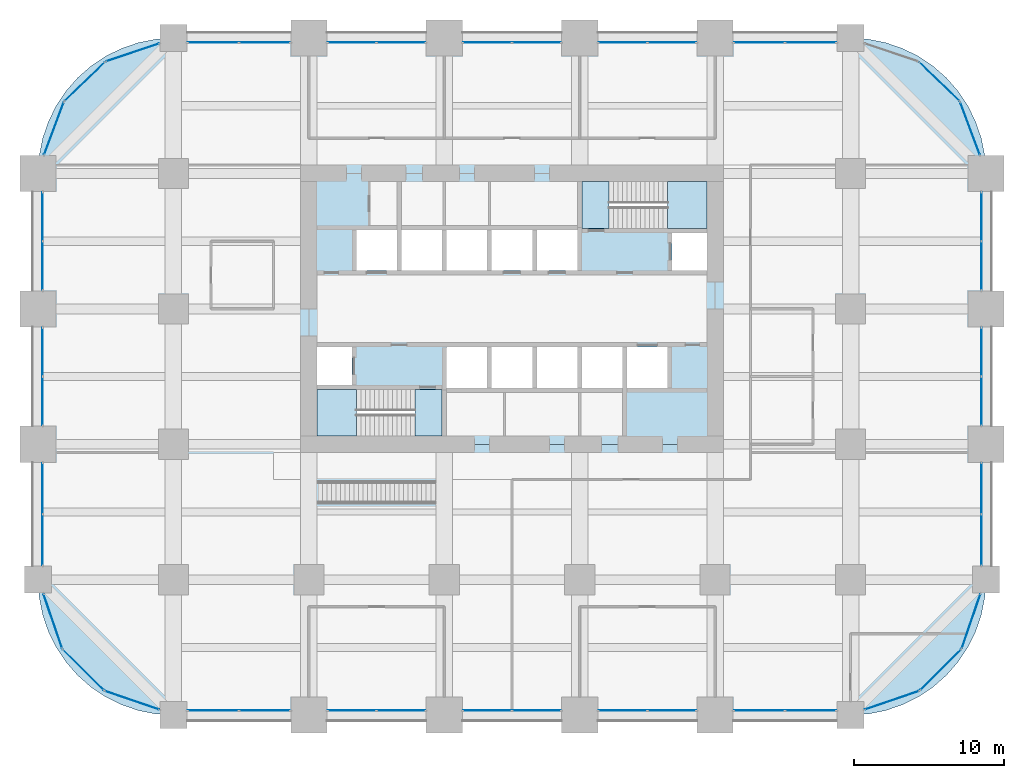
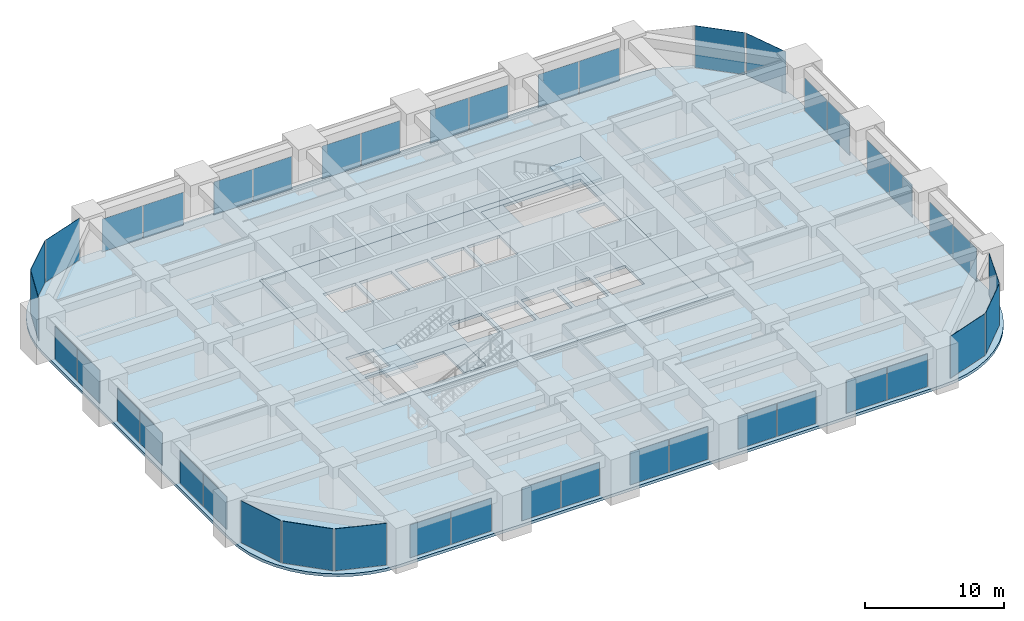
# One storey, part 35 of 39: 43 plates, 6 slabs, 29 elements without a shape of their own.
"""IFC4 building model written with IfcOpenShell, lengths in metres."""

from ifc_helpers import new_model, si_unit, direction, frame, origin, origin_2d, place, context, subcontext, project, spatial, polyline, rectangle, outline, extrude, material, layer, layer_set, type_object, element, aggregate, save


model = new_model("IFC4")

# Units and contexts
model_context = context("Model", 3, precision=1e-05, world=origin(), true_north=direction((0.0, 1.0)))
body_context = subcontext(model_context, "Body", "Model", "MODEL_VIEW")
ifc_project = project(units=[si_unit("LENGTHUNIT", "METRE"), si_unit("AREAUNIT", "SQUARE_METRE"), si_unit("VOLUMEUNIT", "CUBIC_METRE"), si_unit("PLANEANGLEUNIT", "RADIAN"), si_unit("MASSUNIT", "GRAM", prefix="KILO")], contexts=[model_context])

# Site, building, storey
site_placement = place(None, origin())
site = spatial("IfcSite", under=ifc_project, at=site_placement, CompositionType="ELEMENT")
building_placement = place(site_placement, origin())
building = spatial("IfcBuilding", under=site, at=building_placement, Name="Zorevar Civic Tower", CompositionType="ELEMENT")
storey_placement = place(building_placement, frame((0.0, 0.0, 117.0)))
storey = spatial("IfcBuildingStorey", under=building, at=storey_placement, Name="L28", CompositionType="ELEMENT", Elevation=117.0)

# Curtain wall, plates
ifc_material_1 = material(Name="Dark grey solar-control glass in black aluminium frame", Category="aluminium")
curtain_wall_type = type_object("IfcCurtainWallType", Name="Curtain wall CW3 mid zone", PredefinedType="NOTDEFINED", material=ifc_material_1)
curtain_wall_1_placement = place(storey_placement, origin())
curtain_wall_1 = element("IfcCurtainWall", 1, at=curtain_wall_1_placement, inside=storey, type_object=curtain_wall_type, Name="CW3 L28", PredefinedType="NOTDEFINED")
ifc_material_2 = material(Name="Dark grey solar-control glass", Category="glass")
ifc_layer_1 = layer(ifc_material_2, 0.030029296875)
ifc_layer_set_1 = layer_set([ifc_layer_1], Name="CW3 panel 30")
plate_type = type_object("IfcPlateType", Name="CW3 panel 30", PredefinedType="CURTAIN_PANEL", material=ifc_layer_set_1)
plate_1_placement = place(storey_placement, frame((11.639892578125, 0.300048828125, 0.06005859375), z_axis=(0.0, 0.0, 1.0), x_axis=(1.0, 0.0, 0.0)))
plate_1 = element("IfcPlate", 2, at=plate_1_placement, type_object=plate_type, Name="CW3 panel 1.1", PredefinedType="CURTAIN_PANEL", context=body_context, shape_type="SweptSolid", body=[
    extrude(rectangle(XDim=3.360107421875, YDim=0.030029296875, at=origin_2d()), origin(), (0.0, 0.0, 1.0), 2.889892578125),
])
plate_2_placement = place(storey_placement, frame((15.06005859375, 0.300048828125, 0.06005859375), z_axis=(0.0, 0.0, 1.0), x_axis=(1.0, 0.0, 0.0)))
plate_2 = element("IfcPlate", 3, at=plate_2_placement, type_object=plate_type, Name="CW3 panel 2.1", PredefinedType="CURTAIN_PANEL", context=body_context, shape_type="SweptSolid", body=[
    extrude(rectangle(XDim=3.360107421875, YDim=0.030029296875, at=origin_2d()), origin(), (0.0, 0.0, 1.0), 2.889892578125),
])
aggregate(curtain_wall_1, [plate_1, plate_2])

curtain_wall_2_placement = place(storey_placement, origin())
curtain_wall_2 = element("IfcCurtainWall", 4, at=curtain_wall_2_placement, inside=storey, type_object=curtain_wall_type, Name="CW3 L28", PredefinedType="NOTDEFINED")
plate_3_placement = place(storey_placement, frame((11.639892578125, 44.699951171875, 0.06005859375), z_axis=(0.0, 0.0, 1.0), x_axis=(1.0, 0.0, 0.0)))
plate_3 = element("IfcPlate", 5, at=plate_3_placement, type_object=plate_type, Name="CW3 panel 1.1", PredefinedType="CURTAIN_PANEL", context=body_context, shape_type="SweptSolid", body=[
    extrude(rectangle(XDim=3.360107421875, YDim=0.030029296875, at=origin_2d()), origin(), (0.0, 0.0, 1.0), 2.889892578125),
])
plate_4_placement = place(storey_placement, frame((15.06005859375, 44.699951171875, 0.06005859375), z_axis=(0.0, 0.0, 1.0), x_axis=(1.0, 0.0, 0.0)))
plate_4 = element("IfcPlate", 6, at=plate_4_placement, type_object=plate_type, Name="CW3 panel 2.1", PredefinedType="CURTAIN_PANEL", context=body_context, shape_type="SweptSolid", body=[
    extrude(rectangle(XDim=3.360107421875, YDim=0.030029296875, at=origin_2d()), origin(), (0.0, 0.0, 1.0), 2.889892578125),
])
aggregate(curtain_wall_2, [plate_3, plate_4])

curtain_wall_3_placement = place(storey_placement, origin())
curtain_wall_3 = element("IfcCurtainWall", 7, at=curtain_wall_3_placement, inside=storey, type_object=curtain_wall_type, Name="CW3 L28", PredefinedType="NOTDEFINED")
plate_5_placement = place(storey_placement, frame((20.864990234375, 0.300048828125, 0.06005859375), z_axis=(0.0, 0.0, 1.0), x_axis=(1.0, 0.0, 0.0)))
plate_5 = element("IfcPlate", 8, at=plate_5_placement, type_object=plate_type, Name="CW3 panel 1.1", PredefinedType="CURTAIN_PANEL", context=body_context, shape_type="SweptSolid", body=[
    extrude(rectangle(XDim=3.2099609375, YDim=0.030029296875, at=origin_2d()), origin(), (0.0, 0.0, 1.0), 2.889892578125),
])
plate_6_placement = place(storey_placement, frame((24.135009765625, 0.300048828125, 0.06005859375), z_axis=(0.0, 0.0, 1.0), x_axis=(1.0, 0.0, 0.0)))
plate_6 = element("IfcPlate", 9, at=plate_6_placement, type_object=plate_type, Name="CW3 panel 2.1", PredefinedType="CURTAIN_PANEL", context=body_context, shape_type="SweptSolid", body=[
    extrude(rectangle(XDim=3.2099609375, YDim=0.030029296875, at=origin_2d()), origin(), (0.0, 0.0, 1.0), 2.889892578125),
])
aggregate(curtain_wall_3, [plate_5, plate_6])

curtain_wall_4_placement = place(storey_placement, origin())
curtain_wall_4 = element("IfcCurtainWall", 10, at=curtain_wall_4_placement, inside=storey, type_object=curtain_wall_type, Name="CW3 L28", PredefinedType="NOTDEFINED")
plate_7_placement = place(storey_placement, frame((20.864990234375, 44.699951171875, 0.06005859375), z_axis=(0.0, 0.0, 1.0), x_axis=(1.0, 0.0, 0.0)))
plate_7 = element("IfcPlate", 11, at=plate_7_placement, type_object=plate_type, Name="CW3 panel 1.1", PredefinedType="CURTAIN_PANEL", context=body_context, shape_type="SweptSolid", body=[
    extrude(rectangle(XDim=3.2099609375, YDim=0.030029296875, at=origin_2d()), origin(), (0.0, 0.0, 1.0), 2.889892578125),
])
plate_8_placement = place(storey_placement, frame((24.135009765625, 44.699951171875, 0.06005859375), z_axis=(0.0, 0.0, 1.0), x_axis=(1.0, 0.0, 0.0)))
plate_8 = element("IfcPlate", 12, at=plate_8_placement, type_object=plate_type, Name="CW3 panel 2.1", PredefinedType="CURTAIN_PANEL", context=body_context, shape_type="SweptSolid", body=[
    extrude(rectangle(XDim=3.2099609375, YDim=0.030029296875, at=origin_2d()), origin(), (0.0, 0.0, 1.0), 2.889892578125),
])
aggregate(curtain_wall_4, [plate_7, plate_8])

curtain_wall_5_placement = place(storey_placement, origin())
curtain_wall_5 = element("IfcCurtainWall", 13, at=curtain_wall_5_placement, inside=storey, type_object=curtain_wall_type, Name="CW3 L28", PredefinedType="NOTDEFINED")
plate_9_placement = place(storey_placement, frame((29.864990234375, 0.300048828125, 0.06005859375), z_axis=(0.0, 0.0, 1.0), x_axis=(1.0, 0.0, 0.0)))
plate_9 = element("IfcPlate", 14, at=plate_9_placement, type_object=plate_type, Name="CW3 panel 1.1", PredefinedType="CURTAIN_PANEL", context=body_context, shape_type="SweptSolid", body=[
    extrude(rectangle(XDim=3.2099609375, YDim=0.030029296875, at=origin_2d()), origin(), (0.0, 0.0, 1.0), 2.889892578125),
])
plate_10_placement = place(storey_placement, frame((33.135009765625, 0.300048828125, 0.06005859375), z_axis=(0.0, 0.0, 1.0), x_axis=(1.0, 0.0, 0.0)))
plate_10 = element("IfcPlate", 15, at=plate_10_placement, type_object=plate_type, Name="CW3 panel 2.1", PredefinedType="CURTAIN_PANEL", context=body_context, shape_type="SweptSolid", body=[
    extrude(rectangle(XDim=3.2099609375, YDim=0.030029296875, at=origin_2d()), origin(), (0.0, 0.0, 1.0), 2.889892578125),
])
aggregate(curtain_wall_5, [plate_9, plate_10])

curtain_wall_6_placement = place(storey_placement, origin())
curtain_wall_6 = element("IfcCurtainWall", 16, at=curtain_wall_6_placement, inside=storey, type_object=curtain_wall_type, Name="CW3 L28", PredefinedType="NOTDEFINED")
plate_11_placement = place(storey_placement, frame((29.864990234375, 44.699951171875, 0.06005859375), z_axis=(0.0, 0.0, 1.0), x_axis=(1.0, 0.0, 0.0)))
plate_11 = element("IfcPlate", 17, at=plate_11_placement, type_object=plate_type, Name="CW3 panel 1.1", PredefinedType="CURTAIN_PANEL", context=body_context, shape_type="SweptSolid", body=[
    extrude(rectangle(XDim=3.2099609375, YDim=0.030029296875, at=origin_2d()), origin(), (0.0, 0.0, 1.0), 2.889892578125),
])
plate_12_placement = place(storey_placement, frame((33.135009765625, 44.699951171875, 0.06005859375), z_axis=(0.0, 0.0, 1.0), x_axis=(1.0, 0.0, 0.0)))
plate_12 = element("IfcPlate", 18, at=plate_12_placement, type_object=plate_type, Name="CW3 panel 2.1", PredefinedType="CURTAIN_PANEL", context=body_context, shape_type="SweptSolid", body=[
    extrude(rectangle(XDim=3.2099609375, YDim=0.030029296875, at=origin_2d()), origin(), (0.0, 0.0, 1.0), 2.889892578125),
])
aggregate(curtain_wall_6, [plate_11, plate_12])

curtain_wall_7_placement = place(storey_placement, origin())
curtain_wall_7 = element("IfcCurtainWall", 19, at=curtain_wall_7_placement, inside=storey, type_object=curtain_wall_type, Name="CW3 L28", PredefinedType="NOTDEFINED")
plate_13_placement = place(storey_placement, frame((38.864990234375, 0.300048828125, 0.06005859375), z_axis=(0.0, 0.0, 1.0), x_axis=(1.0, 0.0, 0.0)))
plate_13 = element("IfcPlate", 20, at=plate_13_placement, type_object=plate_type, Name="CW3 panel 1.1", PredefinedType="CURTAIN_PANEL", context=body_context, shape_type="SweptSolid", body=[
    extrude(rectangle(XDim=3.2099609375, YDim=0.030029296875, at=origin_2d()), origin(), (0.0, 0.0, 1.0), 2.889892578125),
])
plate_14_placement = place(storey_placement, frame((42.135009765625, 0.300048828125, 0.06005859375), z_axis=(0.0, 0.0, 1.0), x_axis=(1.0, 0.0, 0.0)))
plate_14 = element("IfcPlate", 21, at=plate_14_placement, type_object=plate_type, Name="CW3 panel 2.1", PredefinedType="CURTAIN_PANEL", context=body_context, shape_type="SweptSolid", body=[
    extrude(rectangle(XDim=3.2099609375, YDim=0.030029296875, at=origin_2d()), origin(), (0.0, 0.0, 1.0), 2.889892578125),
])
aggregate(curtain_wall_7, [plate_13, plate_14])

curtain_wall_8_placement = place(storey_placement, origin())
curtain_wall_8 = element("IfcCurtainWall", 22, at=curtain_wall_8_placement, inside=storey, type_object=curtain_wall_type, Name="CW3 L28", PredefinedType="NOTDEFINED")
plate_15_placement = place(storey_placement, frame((38.864990234375, 44.699951171875, 0.06005859375), z_axis=(0.0, 0.0, 1.0), x_axis=(1.0, 0.0, 0.0)))
plate_15 = element("IfcPlate", 23, at=plate_15_placement, type_object=plate_type, Name="CW3 panel 1.1", PredefinedType="CURTAIN_PANEL", context=body_context, shape_type="SweptSolid", body=[
    extrude(rectangle(XDim=3.2099609375, YDim=0.030029296875, at=origin_2d()), origin(), (0.0, 0.0, 1.0), 2.889892578125),
])
plate_16_placement = place(storey_placement, frame((42.135009765625, 44.699951171875, 0.06005859375), z_axis=(0.0, 0.0, 1.0), x_axis=(1.0, 0.0, 0.0)))
plate_16 = element("IfcPlate", 24, at=plate_16_placement, type_object=plate_type, Name="CW3 panel 2.1", PredefinedType="CURTAIN_PANEL", context=body_context, shape_type="SweptSolid", body=[
    extrude(rectangle(XDim=3.2099609375, YDim=0.030029296875, at=origin_2d()), origin(), (0.0, 0.0, 1.0), 2.889892578125),
])
aggregate(curtain_wall_8, [plate_15, plate_16])

curtain_wall_9_placement = place(storey_placement, origin())
curtain_wall_9 = element("IfcCurtainWall", 25, at=curtain_wall_9_placement, inside=storey, type_object=curtain_wall_type, Name="CW3 L28", PredefinedType="NOTDEFINED")
plate_17_placement = place(storey_placement, frame((47.93994140625, 0.300048828125, 0.06005859375), z_axis=(0.0, 0.0, 1.0), x_axis=(1.0, 0.0, 0.0)))
plate_17 = element("IfcPlate", 26, at=plate_17_placement, type_object=plate_type, Name="CW3 panel 1.1", PredefinedType="CURTAIN_PANEL", context=body_context, shape_type="SweptSolid", body=[
    extrude(rectangle(XDim=3.360107421875, YDim=0.030029296875, at=origin_2d()), origin(), (0.0, 0.0, 1.0), 2.889892578125),
])
plate_18_placement = place(storey_placement, frame((51.360107421875, 0.300048828125, 0.06005859375), z_axis=(0.0, 0.0, 1.0), x_axis=(1.0, 0.0, 0.0)))
plate_18 = element("IfcPlate", 27, at=plate_18_placement, type_object=plate_type, Name="CW3 panel 2.1", PredefinedType="CURTAIN_PANEL", context=body_context, shape_type="SweptSolid", body=[
    extrude(rectangle(XDim=3.360107421875, YDim=0.030029296875, at=origin_2d()), origin(), (0.0, 0.0, 1.0), 2.889892578125),
])
aggregate(curtain_wall_9, [plate_17, plate_18])

curtain_wall_10_placement = place(storey_placement, origin())
curtain_wall_10 = element("IfcCurtainWall", 28, at=curtain_wall_10_placement, inside=storey, type_object=curtain_wall_type, Name="CW3 L28", PredefinedType="NOTDEFINED")
plate_19_placement = place(storey_placement, frame((47.93994140625, 44.699951171875, 0.06005859375), z_axis=(0.0, 0.0, 1.0), x_axis=(1.0, 0.0, 0.0)))
plate_19 = element("IfcPlate", 29, at=plate_19_placement, type_object=plate_type, Name="CW3 panel 1.1", PredefinedType="CURTAIN_PANEL", context=body_context, shape_type="SweptSolid", body=[
    extrude(rectangle(XDim=3.360107421875, YDim=0.030029296875, at=origin_2d()), origin(), (0.0, 0.0, 1.0), 2.889892578125),
])
plate_20_placement = place(storey_placement, frame((51.360107421875, 44.699951171875, 0.06005859375), z_axis=(0.0, 0.0, 1.0), x_axis=(1.0, 0.0, 0.0)))
plate_20 = element("IfcPlate", 30, at=plate_20_placement, type_object=plate_type, Name="CW3 panel 2.1", PredefinedType="CURTAIN_PANEL", context=body_context, shape_type="SweptSolid", body=[
    extrude(rectangle(XDim=3.360107421875, YDim=0.030029296875, at=origin_2d()), origin(), (0.0, 0.0, 1.0), 2.889892578125),
])
aggregate(curtain_wall_10, [plate_19, plate_20])

curtain_wall_11_placement = place(storey_placement, origin())
curtain_wall_11 = element("IfcCurtainWall", 31, at=curtain_wall_11_placement, inside=storey, type_object=curtain_wall_type, Name="CW3 L28", PredefinedType="NOTDEFINED")
plate_21_placement = place(storey_placement, frame((0.300048828125, 11.639892578125, 0.06005859375), z_axis=(0.0, 0.0, 1.0), x_axis=(0.0, 1.0, 0.0)))
plate_21 = element("IfcPlate", 32, at=plate_21_placement, type_object=plate_type, Name="CW3 panel 1.1", PredefinedType="CURTAIN_PANEL", context=body_context, shape_type="SweptSolid", body=[
    extrude(rectangle(XDim=3.360107421875, YDim=0.030029296875, at=origin_2d()), origin(), (0.0, 0.0, 1.0), 2.889892578125),
])
plate_22_placement = place(storey_placement, frame((0.300048828125, 15.06005859375, 0.06005859375), z_axis=(0.0, 0.0, 1.0), x_axis=(0.0, 1.0, 0.0)))
plate_22 = element("IfcPlate", 33, at=plate_22_placement, type_object=plate_type, Name="CW3 panel 2.1", PredefinedType="CURTAIN_PANEL", context=body_context, shape_type="SweptSolid", body=[
    extrude(rectangle(XDim=3.360107421875, YDim=0.030029296875, at=origin_2d()), origin(), (0.0, 0.0, 1.0), 2.889892578125),
])
aggregate(curtain_wall_11, [plate_21, plate_22])

curtain_wall_12_placement = place(storey_placement, origin())
curtain_wall_12 = element("IfcCurtainWall", 34, at=curtain_wall_12_placement, inside=storey, type_object=curtain_wall_type, Name="CW3 L28", PredefinedType="NOTDEFINED")
plate_23_placement = place(storey_placement, frame((62.699951171875, 11.639892578125, 0.06005859375), z_axis=(0.0, 0.0, 1.0), x_axis=(0.0, 1.0, 0.0)))
plate_23 = element("IfcPlate", 35, at=plate_23_placement, type_object=plate_type, Name="CW3 panel 1.1", PredefinedType="CURTAIN_PANEL", context=body_context, shape_type="SweptSolid", body=[
    extrude(rectangle(XDim=3.360107421875, YDim=0.030029296875, at=origin_2d()), origin(), (0.0, 0.0, 1.0), 2.889892578125),
])
plate_24_placement = place(storey_placement, frame((62.699951171875, 15.06005859375, 0.06005859375), z_axis=(0.0, 0.0, 1.0), x_axis=(0.0, 1.0, 0.0)))
plate_24 = element("IfcPlate", 36, at=plate_24_placement, type_object=plate_type, Name="CW3 panel 2.1", PredefinedType="CURTAIN_PANEL", context=body_context, shape_type="SweptSolid", body=[
    extrude(rectangle(XDim=3.360107421875, YDim=0.030029296875, at=origin_2d()), origin(), (0.0, 0.0, 1.0), 2.889892578125),
])
aggregate(curtain_wall_12, [plate_23, plate_24])

curtain_wall_13_placement = place(storey_placement, origin())
curtain_wall_13 = element("IfcCurtainWall", 37, at=curtain_wall_13_placement, inside=storey, type_object=curtain_wall_type, Name="CW3 L28", PredefinedType="NOTDEFINED")
plate_25_placement = place(storey_placement, frame((0.300048828125, 20.864990234375, 0.06005859375), z_axis=(0.0, 0.0, 1.0), x_axis=(0.0, 1.0, 0.0)))
plate_25 = element("IfcPlate", 38, at=plate_25_placement, type_object=plate_type, Name="CW3 panel 1.1", PredefinedType="CURTAIN_PANEL", context=body_context, shape_type="SweptSolid", body=[
    extrude(rectangle(XDim=3.2099609375, YDim=0.030029296875, at=origin_2d()), origin(), (0.0, 0.0, 1.0), 2.889892578125),
])
plate_26_placement = place(storey_placement, frame((0.300048828125, 24.135009765625, 0.06005859375), z_axis=(0.0, 0.0, 1.0), x_axis=(0.0, 1.0, 0.0)))
plate_26 = element("IfcPlate", 39, at=plate_26_placement, type_object=plate_type, Name="CW3 panel 2.1", PredefinedType="CURTAIN_PANEL", context=body_context, shape_type="SweptSolid", body=[
    extrude(rectangle(XDim=3.2099609375, YDim=0.030029296875, at=origin_2d()), origin(), (0.0, 0.0, 1.0), 2.889892578125),
])
aggregate(curtain_wall_13, [plate_25, plate_26])

curtain_wall_14_placement = place(storey_placement, origin())
curtain_wall_14 = element("IfcCurtainWall", 40, at=curtain_wall_14_placement, inside=storey, type_object=curtain_wall_type, Name="CW3 L28", PredefinedType="NOTDEFINED")
plate_27_placement = place(storey_placement, frame((62.699951171875, 20.864990234375, 0.06005859375), z_axis=(0.0, 0.0, 1.0), x_axis=(0.0, 1.0, 0.0)))
plate_27 = element("IfcPlate", 41, at=plate_27_placement, type_object=plate_type, Name="CW3 panel 1.1", PredefinedType="CURTAIN_PANEL", context=body_context, shape_type="SweptSolid", body=[
    extrude(rectangle(XDim=3.2099609375, YDim=0.030029296875, at=origin_2d()), origin(), (0.0, 0.0, 1.0), 2.889892578125),
])
plate_28_placement = place(storey_placement, frame((62.699951171875, 24.135009765625, 0.06005859375), z_axis=(0.0, 0.0, 1.0), x_axis=(0.0, 1.0, 0.0)))
plate_28 = element("IfcPlate", 42, at=plate_28_placement, type_object=plate_type, Name="CW3 panel 2.1", PredefinedType="CURTAIN_PANEL", context=body_context, shape_type="SweptSolid", body=[
    extrude(rectangle(XDim=3.2099609375, YDim=0.030029296875, at=origin_2d()), origin(), (0.0, 0.0, 1.0), 2.889892578125),
])
aggregate(curtain_wall_14, [plate_27, plate_28])

curtain_wall_15_placement = place(storey_placement, origin())
curtain_wall_15 = element("IfcCurtainWall", 43, at=curtain_wall_15_placement, inside=storey, type_object=curtain_wall_type, Name="CW3 L28", PredefinedType="NOTDEFINED")
plate_29_placement = place(storey_placement, frame((0.300048828125, 29.864990234375, 0.06005859375), z_axis=(0.0, 0.0, 1.0), x_axis=(0.0, 1.0, 0.0)))
plate_29 = element("IfcPlate", 44, at=plate_29_placement, type_object=plate_type, Name="CW3 panel 1.1", PredefinedType="CURTAIN_PANEL", context=body_context, shape_type="SweptSolid", body=[
    extrude(rectangle(XDim=3.2099609375, YDim=0.030029296875, at=origin_2d()), origin(), (0.0, 0.0, 1.0), 2.889892578125),
])
plate_30_placement = place(storey_placement, frame((0.300048828125, 33.135009765625, 0.06005859375), z_axis=(0.0, 0.0, 1.0), x_axis=(0.0, 1.0, 0.0)))
plate_30 = element("IfcPlate", 45, at=plate_30_placement, type_object=plate_type, Name="CW3 panel 2.1", PredefinedType="CURTAIN_PANEL", context=body_context, shape_type="SweptSolid", body=[
    extrude(rectangle(XDim=3.2099609375, YDim=0.030029296875, at=origin_2d()), origin(), (0.0, 0.0, 1.0), 2.889892578125),
])
aggregate(curtain_wall_15, [plate_29, plate_30])

curtain_wall_16_placement = place(storey_placement, origin())
curtain_wall_16 = element("IfcCurtainWall", 46, at=curtain_wall_16_placement, inside=storey, type_object=curtain_wall_type, Name="CW3 L28", PredefinedType="NOTDEFINED")
plate_31_placement = place(storey_placement, frame((62.699951171875, 29.864990234375, 0.06005859375), z_axis=(0.0, 0.0, 1.0), x_axis=(0.0, 1.0, 0.0)))
plate_31 = element("IfcPlate", 47, at=plate_31_placement, type_object=plate_type, Name="CW3 panel 1.1", PredefinedType="CURTAIN_PANEL", context=body_context, shape_type="SweptSolid", body=[
    extrude(rectangle(XDim=3.2099609375, YDim=0.030029296875, at=origin_2d()), origin(), (0.0, 0.0, 1.0), 2.889892578125),
])
plate_32_placement = place(storey_placement, frame((62.699951171875, 33.135009765625, 0.06005859375), z_axis=(0.0, 0.0, 1.0), x_axis=(0.0, 1.0, 0.0)))
plate_32 = element("IfcPlate", 48, at=plate_32_placement, type_object=plate_type, Name="CW3 panel 2.1", PredefinedType="CURTAIN_PANEL", context=body_context, shape_type="SweptSolid", body=[
    extrude(rectangle(XDim=3.2099609375, YDim=0.030029296875, at=origin_2d()), origin(), (0.0, 0.0, 1.0), 2.889892578125),
])
aggregate(curtain_wall_16, [plate_31, plate_32])

# Curtain wall, plate
curtain_wall_17_placement = place(storey_placement, origin())
curtain_wall_17 = element("IfcCurtainWall", 49, at=curtain_wall_17_placement, inside=storey, type_object=curtain_wall_type, Name="CW3 L28", PredefinedType="NOTDEFINED")
plate_33_placement = place(storey_placement, frame((56.75390625, 0.9833984375, 0.06005859375), z_axis=(0.0, 0.0, 1.0), x_axis=(0.945755772794, 0.324878466857, 0.0)))
plate_33 = element("IfcPlate", 50, at=plate_33_placement, type_object=plate_type, Name="CW3 panel 1.1", PredefinedType="CURTAIN_PANEL", context=body_context, shape_type="SweptSolid", body=[
    extrude(rectangle(XDim=3.80029296875, YDim=0.030029296875, at=origin_2d()), origin(), (0.0, 0.0, 1.0), 3.68994140625),
])
aggregate(curtain_wall_17, [plate_33])

curtain_wall_18_placement = place(storey_placement, origin())
curtain_wall_18 = element("IfcCurtainWall", 51, at=curtain_wall_18_placement, inside=storey, type_object=curtain_wall_type, Name="CW3 L28", PredefinedType="NOTDEFINED")
plate_34_placement = place(storey_placement, frame((59.99365234375, 3.00634765625, 0.06005859375), z_axis=(0.0, 0.0, 1.0), x_axis=(0.707106781187, 0.707106781187, 0.0)))
plate_34 = element("IfcPlate", 52, at=plate_34_placement, type_object=plate_type, Name="CW3 panel 1.1", PredefinedType="CURTAIN_PANEL", context=body_context, shape_type="SweptSolid", body=[
    extrude(rectangle(XDim=3.80029296875, YDim=0.030029296875, at=origin_2d()), origin(), (0.0, 0.0, 1.0), 3.68994140625),
])
aggregate(curtain_wall_18, [plate_34])

curtain_wall_19_placement = place(storey_placement, origin())
curtain_wall_19 = element("IfcCurtainWall", 53, at=curtain_wall_19_placement, inside=storey, type_object=curtain_wall_type, Name="CW3 L28", PredefinedType="NOTDEFINED")
plate_35_placement = place(storey_placement, frame((62.0166015625, 6.24609375, 0.06005859375), z_axis=(0.0, 0.0, 1.0), x_axis=(0.324878466857, 0.945755772794, 0.0)))
plate_35 = element("IfcPlate", 54, at=plate_35_placement, type_object=plate_type, Name="CW3 panel 1.1", PredefinedType="CURTAIN_PANEL", context=body_context, shape_type="SweptSolid", body=[
    extrude(rectangle(XDim=3.80029296875, YDim=0.030029296875, at=origin_2d()), origin(), (0.0, 0.0, 1.0), 3.68994140625),
])
aggregate(curtain_wall_19, [plate_35])

curtain_wall_20_placement = place(storey_placement, origin())
curtain_wall_20 = element("IfcCurtainWall", 55, at=curtain_wall_20_placement, inside=storey, type_object=curtain_wall_type, Name="CW3 L28", PredefinedType="NOTDEFINED")
plate_36_placement = place(storey_placement, frame((61.94384765625, 38.988525390625, 0.06005859375), z_axis=(0.0, 0.0, 1.0), x_axis=(-0.352131520999, 0.935950528564, 0.0)))
plate_36 = element("IfcPlate", 56, at=plate_36_placement, type_object=plate_type, Name="CW3 panel 1.1", PredefinedType="CURTAIN_PANEL", context=body_context, shape_type="SweptSolid", body=[
    extrude(rectangle(XDim=3.7021484375, YDim=0.030029296875, at=origin_2d()), origin(), (0.0, 0.0, 1.0), 3.68994140625),
])
aggregate(curtain_wall_20, [plate_36])

curtain_wall_21_placement = place(storey_placement, origin())
curtain_wall_21 = element("IfcCurtainWall", 57, at=curtain_wall_21_placement, inside=storey, type_object=curtain_wall_type, Name="CW3 L28", PredefinedType="NOTDEFINED")
plate_37_placement = place(storey_placement, frame((59.896484375, 42.10498046875, 0.06005859375), z_axis=(0.0, 0.0, 1.0), x_axis=(-0.719281160023, 0.694719089155, 0.0)))
plate_37 = element("IfcPlate", 58, at=plate_37_placement, type_object=plate_type, Name="CW3 panel 1.1", PredefinedType="CURTAIN_PANEL", context=body_context, shape_type="SweptSolid", body=[
    extrude(rectangle(XDim=3.7021484375, YDim=0.030029296875, at=origin_2d()), origin(), (0.0, 0.0, 1.0), 3.68994140625),
])
aggregate(curtain_wall_21, [plate_37])

curtain_wall_22_placement = place(storey_placement, origin())
curtain_wall_22 = element("IfcCurtainWall", 59, at=curtain_wall_22_placement, inside=storey, type_object=curtain_wall_type, Name="CW3 L28", PredefinedType="NOTDEFINED")
plate_38_placement = place(storey_placement, frame((6.2890625, 44.04296875, 0.06005859375), z_axis=(0.0, 0.0, 1.0), x_axis=(-0.947615765406, -0.319412525043, 0.0)))
plate_38 = element("IfcPlate", 60, at=plate_38_placement, type_object=plate_type, Name="CW3 panel 1.1", PredefinedType="CURTAIN_PANEL", context=body_context, shape_type="SweptSolid", body=[
    extrude(rectangle(XDim=3.7021484375, YDim=0.030029296875, at=origin_2d()), origin(), (0.0, 0.0, 1.0), 3.68994140625),
])
aggregate(curtain_wall_22, [plate_38])

curtain_wall_23_placement = place(storey_placement, origin())
curtain_wall_23 = element("IfcCurtainWall", 61, at=curtain_wall_23_placement, inside=storey, type_object=curtain_wall_type, Name="CW3 L28", PredefinedType="NOTDEFINED")
plate_39_placement = place(storey_placement, frame((3.103515625, 42.10498046875, 0.06005859375), z_axis=(0.0, 0.0, 1.0), x_axis=(-0.719281160023, -0.694719089155, 0.0)))
plate_39 = element("IfcPlate", 62, at=plate_39_placement, type_object=plate_type, Name="CW3 panel 1.1", PredefinedType="CURTAIN_PANEL", context=body_context, shape_type="SweptSolid", body=[
    extrude(rectangle(XDim=3.7021484375, YDim=0.030029296875, at=origin_2d()), origin(), (0.0, 0.0, 1.0), 3.68994140625),
])
aggregate(curtain_wall_23, [plate_39])

curtain_wall_24_placement = place(storey_placement, origin())
curtain_wall_24 = element("IfcCurtainWall", 63, at=curtain_wall_24_placement, inside=storey, type_object=curtain_wall_type, Name="CW3 L28", PredefinedType="NOTDEFINED")
plate_40_placement = place(storey_placement, frame((1.05615234375, 38.988525390625, 0.06005859375), z_axis=(0.0, 0.0, 1.0), x_axis=(-0.352131520999, -0.935950528564, 0.0)))
plate_40 = element("IfcPlate", 64, at=plate_40_placement, type_object=plate_type, Name="CW3 panel 1.1", PredefinedType="CURTAIN_PANEL", context=body_context, shape_type="SweptSolid", body=[
    extrude(rectangle(XDim=3.7021484375, YDim=0.030029296875, at=origin_2d()), origin(), (0.0, 0.0, 1.0), 3.68994140625),
])
aggregate(curtain_wall_24, [plate_40])

curtain_wall_25_placement = place(storey_placement, origin())
curtain_wall_25 = element("IfcCurtainWall", 65, at=curtain_wall_25_placement, inside=storey, type_object=curtain_wall_type, Name="CW3 L28", PredefinedType="NOTDEFINED")
plate_41_placement = place(storey_placement, frame((0.9833984375, 6.24609375, 0.06005859375), z_axis=(0.0, 0.0, 1.0), x_axis=(0.324878466857, -0.945755772794, 0.0)))
plate_41 = element("IfcPlate", 66, at=plate_41_placement, type_object=plate_type, Name="CW3 panel 1.1", PredefinedType="CURTAIN_PANEL", context=body_context, shape_type="SweptSolid", body=[
    extrude(rectangle(XDim=3.80029296875, YDim=0.030029296875, at=origin_2d()), origin(), (0.0, 0.0, 1.0), 3.68994140625),
])
aggregate(curtain_wall_25, [plate_41])

curtain_wall_26_placement = place(storey_placement, origin())
curtain_wall_26 = element("IfcCurtainWall", 67, at=curtain_wall_26_placement, inside=storey, type_object=curtain_wall_type, Name="CW3 L28", PredefinedType="NOTDEFINED")
plate_42_placement = place(storey_placement, frame((3.00634765625, 3.00634765625, 0.06005859375), z_axis=(0.0, 0.0, 1.0), x_axis=(0.707106781187, -0.707106781187, 0.0)))
plate_42 = element("IfcPlate", 68, at=plate_42_placement, type_object=plate_type, Name="CW3 panel 1.1", PredefinedType="CURTAIN_PANEL", context=body_context, shape_type="SweptSolid", body=[
    extrude(rectangle(XDim=3.80029296875, YDim=0.030029296875, at=origin_2d()), origin(), (0.0, 0.0, 1.0), 3.68994140625),
])
aggregate(curtain_wall_26, [plate_42])

curtain_wall_27_placement = place(storey_placement, origin())
curtain_wall_27 = element("IfcCurtainWall", 69, at=curtain_wall_27_placement, inside=storey, type_object=curtain_wall_type, Name="CW3 L28", PredefinedType="NOTDEFINED")
plate_43_placement = place(storey_placement, frame((6.24609375, 0.9833984375, 0.06005859375), z_axis=(0.0, 0.0, 1.0), x_axis=(0.945755772794, -0.324878466857, 0.0)))
plate_43 = element("IfcPlate", 70, at=plate_43_placement, type_object=plate_type, Name="CW3 panel 1.1", PredefinedType="CURTAIN_PANEL", context=body_context, shape_type="SweptSolid", body=[
    extrude(rectangle(XDim=3.80029296875, YDim=0.030029296875, at=origin_2d()), origin(), (0.0, 0.0, 1.0), 3.68994140625),
])
aggregate(curtain_wall_27, [plate_43])

# Slabs
ifc_material_3 = material(Name="Concrete C40/50", Category="concrete")
ifc_layer_2 = layer(ifc_material_3, 0.25)
ifc_layer_set_2 = layer_set([ifc_layer_2], Name="Floor slab 250")
slab_type_1 = type_object("IfcSlabType", Name="Floor slab 250", PredefinedType="FLOOR", material=ifc_layer_set_2)
slab_1_placement = place(storey_placement, frame((0.0, 0.0, -0.25)))
element("IfcSlab", 71, at=slab_1_placement, inside=storey, type_object=slab_type_1, Name="Floor slab L28", PredefinedType="FLOOR", context=body_context, shape_type="SweptSolid", body=[
    extrude(outline(polyline([(54.0, 0.0), (55.1748046875, 0.076904296875), (56.329345703125, 0.306640625), (57.444091796875, 0.68505859375), (58.5, 1.205810546875), (59.478759765625, 1.85986328125), (60.364013671875, 2.635986328125), (61.14013671875, 3.521240234375), (61.794189453125, 4.5), (62.31494140625, 5.555908203125), (62.693359375, 6.670654296875), (62.923095703125, 7.8251953125), (63.0, 9.0), (63.0, 36.0), (62.923095703125, 37.1748046875), (62.693359375, 38.329345703125), (62.31494140625, 39.444091796875), (61.794189453125, 40.5), (61.14013671875, 41.478759765625), (60.364013671875, 42.364013671875), (59.478759765625, 43.14013671875), (58.5, 43.794189453125), (57.444091796875, 44.31494140625), (56.329345703125, 44.693359375), (55.1748046875, 44.923095703125), (54.0, 45.0), (9.0, 45.0), (7.8251953125, 44.923095703125), (6.670654296875, 44.693359375), (5.555908203125, 44.31494140625), (4.5, 43.794189453125), (3.521240234375, 43.14013671875), (2.635986328125, 42.364013671875), (1.85986328125, 41.478759765625), (1.205810546875, 40.5), (0.68505859375, 39.444091796875), (0.306640625, 38.329345703125), (0.076904296875, 37.1748046875), (0.0, 36.0), (0.0, 9.0), (0.076904296875, 7.8251953125), (0.306640625, 6.670654296875), (0.68505859375, 5.555908203125), (1.205810546875, 4.5), (1.85986328125, 3.521240234375), (2.635986328125, 2.635986328125), (3.521240234375, 1.85986328125), (4.5, 1.205810546875), (5.555908203125, 0.68505859375), (6.670654296875, 0.306640625), (7.8251953125, 0.076904296875), (9.0, 0.0), (54.0, 0.0)]), holes=[polyline([(18.0, 18.0), (45.0, 18.0), (45.0, 36.0), (18.0, 36.0), (18.0, 18.0)])]), origin(), (0.0, 0.0, 1.0), 0.25),
])
slab_2_placement = place(storey_placement, frame((0.0, 0.0, -0.25)))
element("IfcSlab", 72, at=slab_2_placement, inside=storey, type_object=slab_type_1, Name="Core floor L28", PredefinedType="FLOOR", context=body_context, shape_type="SweptSolid", body=[
    extrude(outline(polyline([(18.0, 18.0), (45.0, 18.0), (45.0, 36.0), (18.0, 36.0), (18.0, 18.0)]), holes=[polyline([(18.550048828125, 18.550048828125), (26.85009765625, 18.550048828125), (26.85009765625, 21.64990234375), (18.550048828125, 21.64990234375), (18.550048828125, 18.550048828125)]), polyline([(36.14990234375, 32.35009765625), (44.449951171875, 32.35009765625), (44.449951171875, 35.449951171875), (36.14990234375, 35.449951171875), (36.14990234375, 32.35009765625)]), polyline([(18.550048828125, 21.949951171875), (20.85009765625, 21.949951171875), (20.85009765625, 24.449951171875), (18.550048828125, 24.449951171875), (18.550048828125, 21.949951171875)]), polyline([(42.14990234375, 29.550048828125), (44.449951171875, 29.550048828125), (44.449951171875, 32.050048828125), (42.14990234375, 32.050048828125), (42.14990234375, 29.550048828125)]), polyline([(27.14990234375, 21.75), (29.85009765625, 21.75), (29.85009765625, 24.449951171875), (27.14990234375, 24.449951171875), (27.14990234375, 21.75)]), polyline([(33.14990234375, 29.550048828125), (35.85009765625, 29.550048828125), (35.85009765625, 32.25), (33.14990234375, 32.25), (33.14990234375, 29.550048828125)]), polyline([(30.14990234375, 21.75), (32.85009765625, 21.75), (32.85009765625, 24.449951171875), (30.14990234375, 24.449951171875), (30.14990234375, 21.75)]), polyline([(30.14990234375, 29.550048828125), (32.85009765625, 29.550048828125), (32.85009765625, 32.25), (30.14990234375, 32.25), (30.14990234375, 29.550048828125)]), polyline([(33.14990234375, 21.75), (35.85009765625, 21.75), (35.85009765625, 24.449951171875), (33.14990234375, 24.449951171875), (33.14990234375, 21.75)]), polyline([(27.14990234375, 29.550048828125), (29.85009765625, 29.550048828125), (29.85009765625, 32.25), (27.14990234375, 32.25), (27.14990234375, 29.550048828125)]), polyline([(36.14990234375, 21.75), (38.85009765625, 21.75), (38.85009765625, 24.449951171875), (36.14990234375, 24.449951171875), (36.14990234375, 21.75)]), polyline([(24.14990234375, 29.550048828125), (26.85009765625, 29.550048828125), (26.85009765625, 32.25), (24.14990234375, 32.25), (24.14990234375, 29.550048828125)]), polyline([(39.14990234375, 21.75), (41.85009765625, 21.75), (41.85009765625, 24.449951171875), (39.14990234375, 24.449951171875), (39.14990234375, 21.75)]), polyline([(21.14990234375, 29.550048828125), (23.85009765625, 29.550048828125), (23.85009765625, 32.25), (21.14990234375, 32.25), (21.14990234375, 29.550048828125)])]), origin(), (0.0, 0.0, 1.0), 0.25),
])

# Stair, slabs
ifc_material_4 = material(Name="Precast concrete C40/50", Category="concrete")
stair_type = type_object("IfcStairType", Name="Stair ST 28R", PredefinedType="HALF_TURN_STAIR", material=ifc_material_4)
stair_1_placement = place(storey_placement, origin())
stair_1 = element("IfcStair", 73, at=stair_1_placement, inside=storey, type_object=stair_type, Name="Stair ST1 L28", PredefinedType="HALF_TURN_STAIR")
ifc_material_5 = material(Name="Concrete C40/50", Category="concrete")
ifc_layer_3 = layer(ifc_material_5, 0.199951171875)
ifc_layer_set_3 = layer_set([ifc_layer_3], Name="Stair landing 200")
slab_type_2 = type_object("IfcSlabType", Name="Stair landing 200", PredefinedType="LANDING", material=ifc_layer_set_3)
slab_3_placement = place(storey_placement, frame((0.0, 0.0, -0.199951171875)))
slab_3 = element("IfcSlab", 74, at=slab_3_placement, type_object=slab_type_2, Name="ST1 landing 1", PredefinedType="LANDING", context=body_context, shape_type="SweptSolid", body=[
    extrude(outline(polyline([(25.050048828125, 18.550048828125), (26.85009765625, 18.550048828125), (26.85009765625, 21.64990234375), (25.050048828125, 21.64990234375), (25.050048828125, 18.550048828125)])), origin(), (0.0, 0.0, 1.0), 0.199951171875),
])
slab_4_placement = place(storey_placement, frame((0.0, 0.0, 1.800048828125)))
slab_4 = element("IfcSlab", 75, at=slab_4_placement, type_object=slab_type_2, Name="ST1 landing 2", PredefinedType="LANDING", context=body_context, shape_type="SweptSolid", body=[
    extrude(outline(polyline([(18.550048828125, 18.550048828125), (21.14990234375, 18.550048828125), (21.14990234375, 21.64990234375), (18.550048828125, 21.64990234375), (18.550048828125, 18.550048828125)])), origin(), (0.0, 0.0, 1.0), 0.199951171875),
])
aggregate(stair_1, [slab_3, slab_4])

stair_2_placement = place(storey_placement, origin())
stair_2 = element("IfcStair", 76, at=stair_2_placement, inside=storey, type_object=stair_type, Name="Stair ST2 L28", PredefinedType="HALF_TURN_STAIR")
slab_5_placement = place(storey_placement, frame((0.0, 0.0, -0.199951171875)))
slab_5 = element("IfcSlab", 77, at=slab_5_placement, type_object=slab_type_2, Name="ST2 landing 1", PredefinedType="LANDING", context=body_context, shape_type="SweptSolid", body=[
    extrude(outline(polyline([(37.949951171875, 32.35009765625), (36.14990234375, 32.35009765625), (36.14990234375, 35.449951171875), (37.949951171875, 35.449951171875), (37.949951171875, 32.35009765625)])), origin(), (0.0, 0.0, 1.0), 0.199951171875),
])
slab_6_placement = place(storey_placement, frame((0.0, 0.0, 1.800048828125)))
slab_6 = element("IfcSlab", 78, at=slab_6_placement, type_object=slab_type_2, Name="ST2 landing 2", PredefinedType="LANDING", context=body_context, shape_type="SweptSolid", body=[
    extrude(outline(polyline([(44.449951171875, 32.35009765625), (41.85009765625, 32.35009765625), (41.85009765625, 35.449951171875), (44.449951171875, 35.449951171875), (44.449951171875, 32.35009765625)])), origin(), (0.0, 0.0, 1.0), 0.199951171875),
])
aggregate(stair_2, [slab_5, slab_6])

save(model, "model.ifc")
